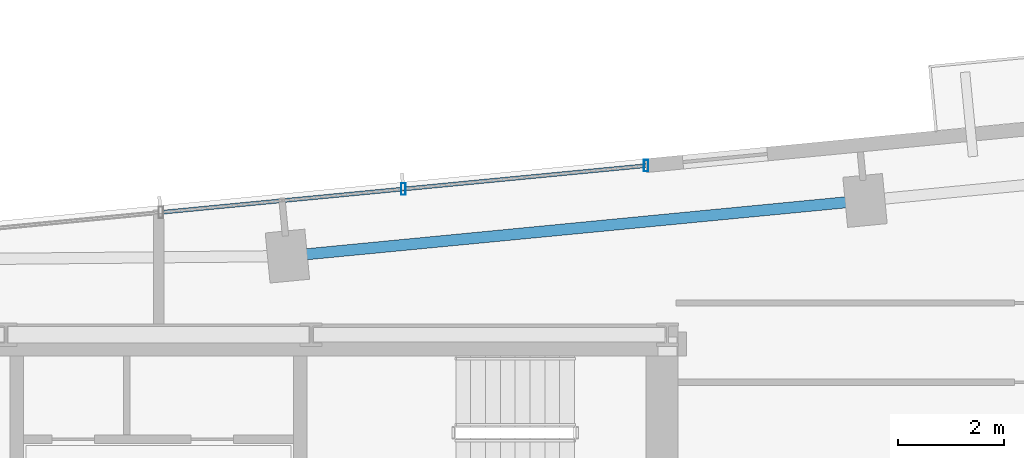
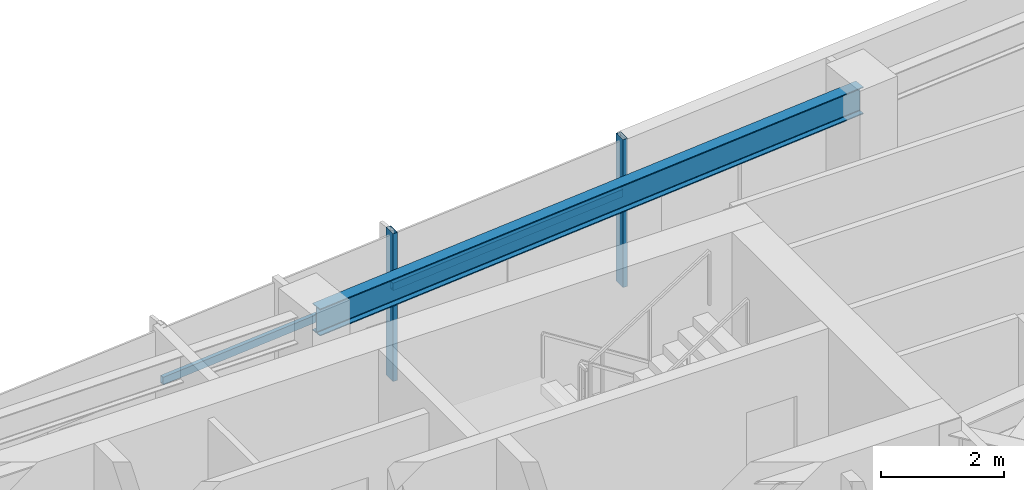
# One storey, part 7 of 18: 4 members, 1 beam, 1 element without a shape of its own.
"""IFC4 building model written with IfcOpenShell, lengths in metres."""

from ifc_helpers import new_model, si_unit, direction, frame, origin, origin_2d, place, context, subcontext, project, spatial, hollow_rectangle, i_section, extrude, source, transform, mapped, material, material_profile, profile_set, type_object, type_shapes, element, aggregate, save


model = new_model("IFC4")

# Units and contexts
model_context = context("Model", 3, precision=1e-05, world=origin(), true_north=direction((0.0, 1.0)))
body_context = subcontext(model_context, "Body", "Model", "MODEL_VIEW")
ifc_project = project(units=[si_unit("LENGTHUNIT", "METRE"), si_unit("AREAUNIT", "SQUARE_METRE"), si_unit("VOLUMEUNIT", "CUBIC_METRE"), si_unit("PLANEANGLEUNIT", "RADIAN"), si_unit("MASSUNIT", "GRAM", prefix="KILO")], contexts=[model_context])

# Site, building, storey
site_placement = place(None, origin())
site = spatial("IfcSite", under=ifc_project, at=site_placement, CompositionType="ELEMENT")
building_placement = place(site_placement, origin())
building = spatial("IfcBuilding", under=site, at=building_placement, Name="Astriad Promenade Condominiums", CompositionType="ELEMENT")
storey_placement = place(building_placement, frame((0.0, 0.0, 195.39990234375)))
storey = spatial("IfcBuildingStorey", under=building, at=storey_placement, Name="L56", CompositionType="ELEMENT", Elevation=195.39990234375)

# Beam
ifc_material_1 = material(Name="Steel ASTM A992 Grade 50", Category="steel")
ifc_material_profile_1 = material_profile(ifc_material_1, i_section(OverallWidth=0.210693359375, OverallDepth=0.53955078125, WebThickness=0.01171875, FlangeThickness=0.018798828125, FilletRadius=0.0166015625, at=origin_2d()), Name="W21X73")
ifc_profile_set_1 = profile_set([ifc_material_profile_1], Name="Steel ASTM A992 Grade 50")
beam_type = type_object("IfcBeamType", Name="STEEL SPANDREL BEAM W21X73", PredefinedType="SPANDREL", material=ifc_profile_set_1)
shared_shape_1 = source(origin(), body_context, "Body", "SweptSolid", [
    extrude(i_section(OverallWidth=0.210693359375, OverallDepth=0.53955078125, WebThickness=0.01171875, FlangeThickness=0.018798828125, FilletRadius=0.0166015625, at=origin_2d()), origin(), (0.0, 0.0, 1.0), 10.869873046875),
])
type_shapes(beam_type, [shared_shape_1])
beam_placement = place(storey_placement, frame((49.291015625, 26.52880859375, 2.67041015625), z_axis=(-0.995394779798, -0.09586048378, 0.0), x_axis=(0.09586048378, -0.995394779798, 0.0)))
element("IfcBeam", 1, at=beam_placement, inside=storey, type_object=beam_type, Name="Perimeter Spandrel Beam SP-N3-L56", PredefinedType="SPANDREL", context=body_context, shape_type="MappedRepresentation", body=[
    mapped(shared_shape_1, transform((0.0, 0.0, 0.0), scale=1.0)),
])

# Curtain wall, members
ifc_material_2 = material(Name="Anodised aluminium Black Dark Glass Unitised", Category="aluminium")
curtain_wall_type = type_object("IfcCurtainWallType", Name="CW-B34-DARK", PredefinedType="USERDEFINED", material=ifc_material_2)
curtain_wall_placement = place(storey_placement, origin())
curtain_wall = element("IfcCurtainWall", 2, at=curtain_wall_placement, inside=storey, type_object=curtain_wall_type, Name="CW-L56-N", ObjectType="UNITISED_CURTAIN_WALL", PredefinedType="USERDEFINED")
ifc_material_3 = material(Name="Anodised aluminium 6063-T6 Black", Category="aluminium")
ifc_material_profile_2 = material_profile(ifc_material_3, hollow_rectangle(XDim=0.0849609375, YDim=0.219970703125, WallThickness=0.0048828125, at=origin_2d()), Name="ALU-MUL-85X220")
ifc_profile_set_2 = profile_set([ifc_material_profile_2], Name="Anodised aluminium 6063-T6 Black")
member_type_1 = type_object("IfcMemberType", Name="MUL-ALU-MUL-85X220", PredefinedType="MULLION", material=ifc_profile_set_2)
shared_shape_2 = source(origin(), body_context, "Body", "SweptSolid", [
    extrude(hollow_rectangle(XDim=0.0849609375, YDim=0.219970703125, WallThickness=0.0048828125, at=origin_2d()), origin(), (0.0, 0.0, 1.0), 2.940185546875),
])
type_shapes(member_type_1, [shared_shape_2])
member_1_placement = place(storey_placement, frame((40.6201171875, 26.748779296875, 0.0), z_axis=(0.0, 0.0, 1.0), x_axis=(1.0, 0.0, 0.0)))
member_1 = element("IfcMember", 3, at=member_1_placement, type_object=member_type_1, Name="CW-L56-N-MUL-02", PredefinedType="MULLION", context=body_context, shape_type="MappedRepresentation", body=[
    mapped(shared_shape_2, transform((0.0, 0.0, 0.0), scale=1.0)),
])
member_2_placement = place(storey_placement, frame((45.198974609375, 27.189697265625, 0.0), z_axis=(0.0, 0.0, 1.0), x_axis=(1.0, 0.0, 0.0)))
member_2 = element("IfcMember", 4, at=member_2_placement, type_object=member_type_1, Name="CW-L56-N-MUL-03", PredefinedType="MULLION", context=body_context, shape_type="MappedRepresentation", body=[
    mapped(shared_shape_2, transform((0.0, 0.0, 0.0), scale=1.0)),
])
ifc_material_profile_3 = material_profile(ifc_material_3, hollow_rectangle(XDim=0.074951171875, YDim=0.14990234375, WallThickness=0.004150390625, at=origin_2d()), Name="ALU-TRN-75X150")
ifc_profile_set_3 = profile_set([ifc_material_profile_3], Name="Anodised aluminium 6063-T6 Black")
member_type_2 = type_object("IfcMemberType", Name="TRN-ALU-TRN-75X150", PredefinedType="USERDEFINED", material=ifc_profile_set_3)
shared_shape_3 = source(origin(), body_context, "Body", "SweptSolid", [
    extrude(hollow_rectangle(XDim=0.074951171875, YDim=0.14990234375, WallThickness=0.004150390625, at=origin_2d()), origin(), (0.0, 0.0, 1.0), 4.60009765625),
])
type_shapes(member_type_2, [shared_shape_3])
member_3_placement = place(storey_placement, frame((36.041259765625, 26.307861328125, 1.822998046875), z_axis=(0.995395697572, 0.095850953336, 0.0), x_axis=(-0.095850953336, 0.995395697572, 0.0)))
member_3 = element("IfcMember", 5, at=member_3_placement, type_object=member_type_2, Name="CW-L56-N-TRN-01-0", ObjectType="TRANSOM", PredefinedType="USERDEFINED", context=body_context, shape_type="MappedRepresentation", body=[
    mapped(shared_shape_3, transform((0.0, 0.0, 0.0), scale=1.0)),
])
member_4_placement = place(storey_placement, frame((40.6201171875, 26.748779296875, 1.822998046875), z_axis=(0.995395697572, 0.095850953336, 0.0), x_axis=(-0.095850953336, 0.995395697572, 0.0)))
member_4 = element("IfcMember", 6, at=member_4_placement, type_object=member_type_2, Name="CW-L56-N-TRN-02-0", ObjectType="TRANSOM", PredefinedType="USERDEFINED", context=body_context, shape_type="MappedRepresentation", body=[
    mapped(shared_shape_3, transform((0.0, 0.0, 0.0), scale=1.0)),
])
aggregate(curtain_wall, [member_1, member_2, member_3, member_4])

save(model, "model.ifc")
